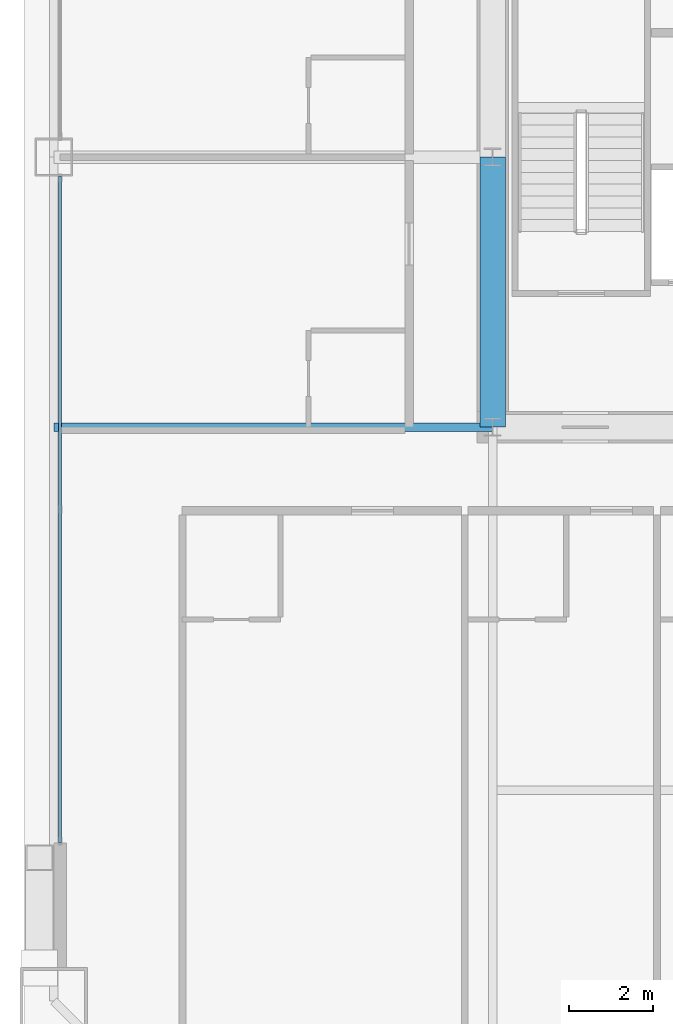
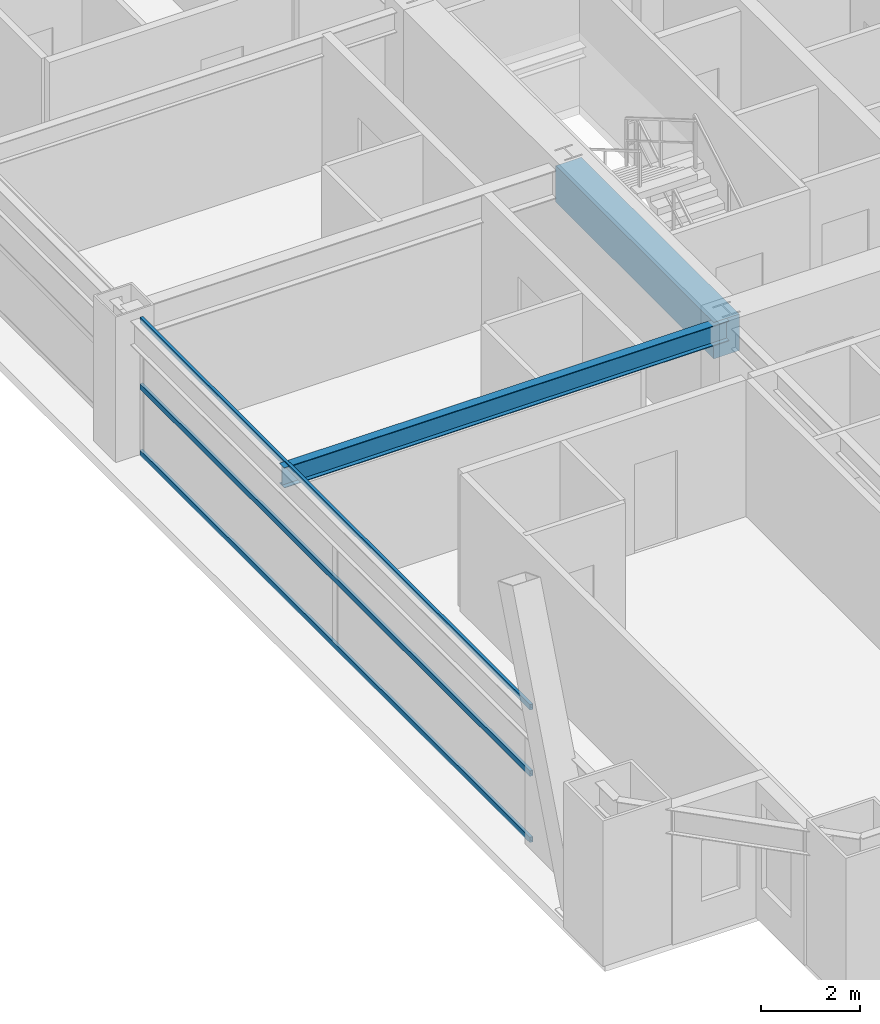
# One storey, part 11 of 43: 3 members, 2 beams, 1 element without a shape of its own.
"""IFC4 building model written with IfcOpenShell, lengths in metres."""

from ifc_helpers import new_model, si_unit, direction, frame, origin, origin_2d, place, context, subcontext, project, spatial, rectangle, hollow_rectangle, i_section, extrude, source, transform, mapped, material, layer, layer_set, material_profile, profile_set, type_object, element, aggregate, save


model = new_model("IFC4")

# Units and contexts
model_context = context("Model", 3, precision=1e-05, world=origin(), true_north=direction((0.0, 1.0)))
body_context = subcontext(model_context, "Body", "Model", "MODEL_VIEW")
ifc_project = project(units=[si_unit("LENGTHUNIT", "METRE"), si_unit("AREAUNIT", "SQUARE_METRE"), si_unit("VOLUMEUNIT", "CUBIC_METRE"), si_unit("PLANEANGLEUNIT", "RADIAN"), si_unit("MASSUNIT", "GRAM", prefix="KILO"), si_unit("THERMODYNAMICTEMPERATUREUNIT", "KELVIN"), si_unit("POWERUNIT", "WATT")], contexts=[model_context])

# Site, building, storey
site_placement = place(None, origin())
site = spatial("IfcSite", under=ifc_project, at=site_placement, CompositionType="ELEMENT")
building_placement = place(site_placement, origin())
building = spatial("IfcBuilding", under=site, at=building_placement, Name="Yuzanri Waterfront Tower", CompositionType="ELEMENT")
storey_placement = place(building_placement, frame((0.0, 0.0, 93.800048828125)))
storey = spatial("IfcBuildingStorey", under=building, at=storey_placement, Name="L24", CompositionType="ELEMENT", Elevation=93.800048828125)

# Beams
ifc_material_1 = material(Name="Concrete C60", Category="concrete")
ifc_material_profile_1 = material_profile(ifc_material_1, rectangle(XDim=0.60009765625, YDim=0.89990234375, at=origin_2d()), Name="RC 600x900")
ifc_profile_set_1 = profile_set([ifc_material_profile_1], Name="Concrete C60")
beam_type_1 = type_object("IfcBeamType", Name="Core Coupling Lintel Concrete C60 600x900", PredefinedType="LINTEL", material=ifc_profile_set_1)
shared_shape_1 = source(origin(), body_context, "Body", "SweptSolid", [
    extrude(rectangle(XDim=0.60009765625, YDim=0.89990234375, at=origin_2d()), origin(), (0.0, 0.0, 1.0), 6.400146484375),
])
beam_1_placement = place(storey_placement, frame((23.800048828125, 19.39990234375, 2.929931640625), z_axis=(0.0, 1.0, 0.0), x_axis=(-1.0, 0.0, 0.0)))
element("IfcBeam", 1, at=beam_1_placement, inside=storey, type_object=beam_type_1, Name="L24 Core Tie Beam CW1", PredefinedType="LINTEL", context=body_context, shape_type="MappedRepresentation", body=[
    mapped(shared_shape_1, transform((0.0, 0.0, 0.0), scale=1.0)),
])
ifc_material_2 = material(Name="Steel Q355B", Category="steel")
ifc_material_profile_2 = material_profile(ifc_material_2, i_section(OverallWidth=0.199951171875, OverallDepth=0.5, WebThickness=0.010009765625, FlangeThickness=0.01611328125, at=origin_2d()), Name="HN 500x200x10x16")
ifc_profile_set_2 = profile_set([ifc_material_profile_2], Name="Steel Q355B")
beam_type_2 = type_object("IfcBeamType", Name="Secondary Floor Beam Q355B HN 500x200", PredefinedType="BEAM", material=ifc_profile_set_2)
shared_shape_2 = source(origin(), body_context, "Body", "SweptSolid", [
    extrude(i_section(OverallWidth=0.199951171875, OverallDepth=0.5, WebThickness=0.010009765625, FlangeThickness=0.01611328125, at=origin_2d()), origin(), (0.0, 0.0, 1.0), 10.400146484375),
])
beam_2_placement = place(storey_placement, frame((23.800048828125, 19.39990234375, 3.1298828125), z_axis=(-1.0, 0.0, 0.0), x_axis=(0.0, -1.0, 0.0)))
element("IfcBeam", 2, at=beam_2_placement, inside=storey, type_object=beam_type_2, Name="L24 West-South Core Line Beam", PredefinedType="BEAM", context=body_context, shape_type="MappedRepresentation", body=[
    mapped(shared_shape_2, transform((0.0, 0.0, 0.0), scale=1.0)),
])

# Curtain wall, members
ifc_material_3 = material(Name="Anodized Architectural Bronze", Category="metal")
ifc_layer = layer(ifc_material_3, 0.159912109375)
ifc_layer_set = layer_set([ifc_layer], Name="Anodized Architectural Bronze")
curtain_wall_type = type_object("IfcCurtainWallType", Name="Anodized Bronze Hotel Upper-Tier Solar-Control Unitized Curtain Wall 7800", PredefinedType="NOTDEFINED", material=ifc_layer_set)
curtain_wall_placement = place(storey_placement, origin())
curtain_wall = element("IfcCurtainWall", 3, at=curtain_wall_placement, inside=storey, type_object=curtain_wall_type, Name="L24 Curtain Wall CW-L24-WL", PredefinedType="NOTDEFINED")
ifc_material_4 = material(Name="Anodized Architectural Bronze", Category="metal")
ifc_material_profile_3 = material_profile(ifc_material_4, hollow_rectangle(XDim=0.070068359375, YDim=0.135009765625, WallThickness=0.00341796875, at=origin_2d()), Name="CWT 70x135")
ifc_profile_set_3 = profile_set([ifc_material_profile_3], Name="Anodized Architectural Bronze")
member_type = type_object("IfcMemberType", Name="Anodized Bronze Standard Curtain-Wall Transom 70x135", PredefinedType="USERDEFINED", material=ifc_profile_set_3)
shared_shape_3 = source(origin(), body_context, "Body", "SweptSolid", [
    extrude(hollow_rectangle(XDim=0.070068359375, YDim=0.135009765625, WallThickness=0.00341796875, at=origin_2d()), origin(), (0.0, 0.0, 1.0), 15.800048828125),
])
member_1_placement = place(storey_placement, frame((13.550048828125, 9.550048828125, 0.050048828125), z_axis=(0.0, 1.0, 0.0), x_axis=(-1.0, 0.0, 0.0)))
member_1 = element("IfcMember", 4, at=member_1_placement, type_object=member_type, Name="CW-L24-WL Transom 1", ObjectType="TRANSOM", PredefinedType="USERDEFINED", context=body_context, shape_type="MappedRepresentation", body=[
    mapped(shared_shape_3, transform((0.0, 0.0, 0.0), scale=1.0)),
])
member_2_placement = place(storey_placement, frame((13.550048828125, 9.550048828125, 1.68994140625), z_axis=(0.0, 1.0, 0.0), x_axis=(-1.0, 0.0, 0.0)))
member_2 = element("IfcMember", 5, at=member_2_placement, type_object=member_type, Name="CW-L24-WL Transom 2", ObjectType="TRANSOM", PredefinedType="USERDEFINED", context=body_context, shape_type="MappedRepresentation", body=[
    mapped(shared_shape_3, transform((0.0, 0.0, 0.0), scale=1.0)),
])
member_3_placement = place(storey_placement, frame((13.550048828125, 9.550048828125, 3.329833984375), z_axis=(0.0, 1.0, 0.0), x_axis=(-1.0, 0.0, 0.0)))
member_3 = element("IfcMember", 6, at=member_3_placement, type_object=member_type, Name="CW-L24-WL Transom 3", ObjectType="TRANSOM", PredefinedType="USERDEFINED", context=body_context, shape_type="MappedRepresentation", body=[
    mapped(shared_shape_3, transform((0.0, 0.0, 0.0), scale=1.0)),
])
aggregate(curtain_wall, [member_1, member_2, member_3])

save(model, "model.ifc")
